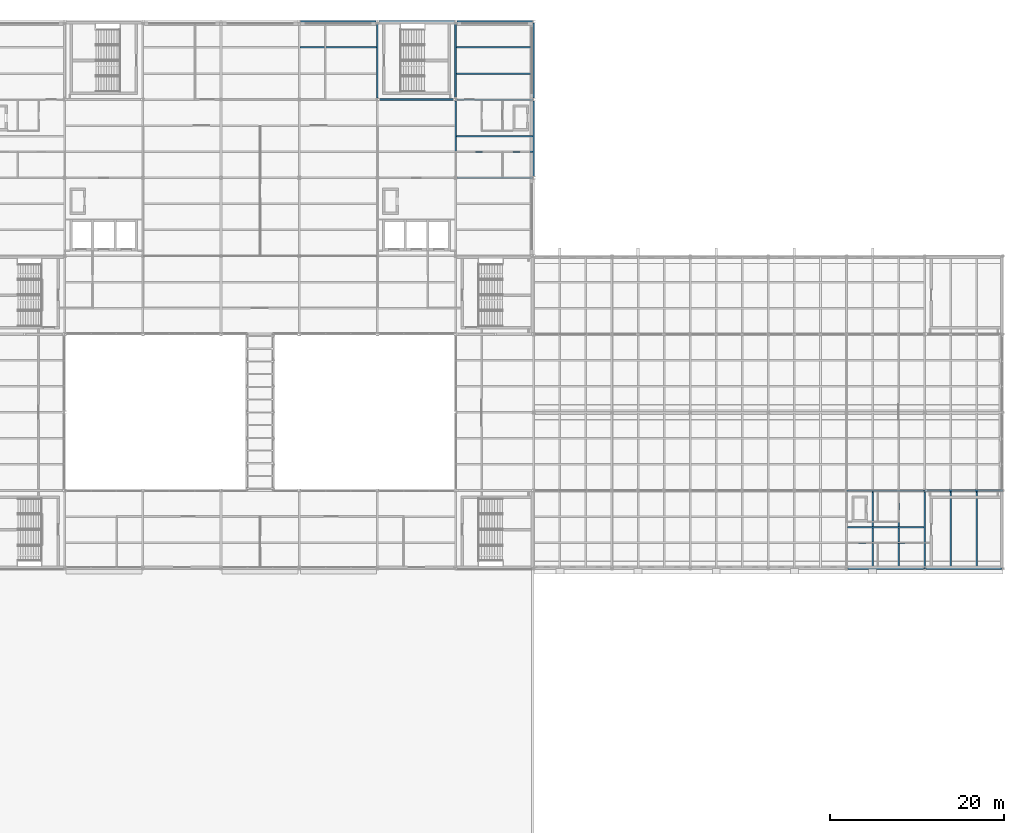
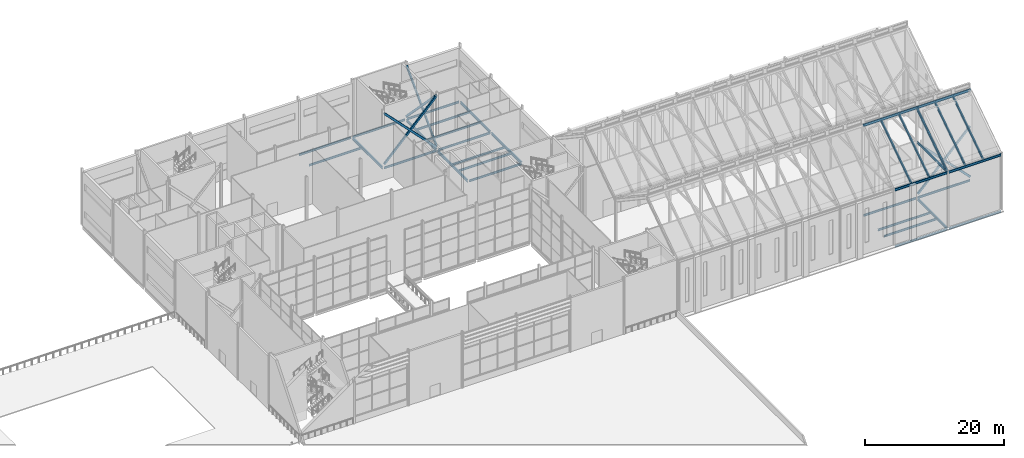
# One storey, part 68 of 111: 28 beams, 11 members.
"""IFC4 building model written with IfcOpenShell, lengths in metres."""

from ifc_helpers import new_model, si_unit, direction, frame, origin, origin_2d, place, context, subcontext, project, spatial, hollow_rectangle, i_section, extrude, material, material_profile, profile_set, type_object, element, save


model = new_model("IFC4")

# Units and contexts
model_context = context("Model", 3, precision=1e-05, world=origin(), true_north=direction((0.0, 1.0)))
body_context = subcontext(model_context, "Body", "Model", "MODEL_VIEW")
ifc_project = project(units=[si_unit("LENGTHUNIT", "METRE"), si_unit("AREAUNIT", "SQUARE_METRE"), si_unit("VOLUMEUNIT", "CUBIC_METRE"), si_unit("PLANEANGLEUNIT", "RADIAN"), si_unit("MASSUNIT", "GRAM", prefix="KILO")], contexts=[model_context])

# Site, building, storey
site_placement = place(None, origin())
site = spatial("IfcSite", under=ifc_project, at=site_placement, CompositionType="ELEMENT")
building_placement = place(site_placement, origin())
building = spatial("IfcBuilding", under=site, at=building_placement, Name="Shorebreak Coast Museum", CompositionType="ELEMENT")
storey_placement = place(building_placement, frame((0.0, 0.0, 16.0)))
storey = spatial("IfcBuildingStorey", under=building, at=storey_placement, Name="L03", CompositionType="ELEMENT", Elevation=16.0)

# Beams
ifc_material_1 = material(Name="Steel Grade 300", Category="steel")
ifc_material_profile_1 = material_profile(ifc_material_1, i_section(OverallWidth=0.1708984375, OverallDepth=0.355712890625, WebThickness=0.00732421875, FlangeThickness=0.011474609375, FilletRadius=0.011474609375, at=origin_2d()), Name="360UB50.7")
ifc_profile_set_1 = profile_set([ifc_material_profile_1], Name="Steel Grade 300")
beam_type_1 = type_object("IfcBeamType", Name="Floor girder east-west 360UB50.7", PredefinedType="BEAM", material=ifc_profile_set_1)
for number, where, z_axis, x_axis, name in (
    (1, (153.14990234375, 54.0, -0.352783203125), (1.0, 0.0, 0.0), (0.0, 1.0, 0.0), "Floor girder east-west L03 18G"),
    (2, (162.14990234375, 54.0, -0.352783203125), (1.0, 0.0, 0.0), (0.0, 1.0, 0.0), "Floor girder east-west L03 19G"),
):
    element("IfcBeam", number, at=place(storey_placement, frame(where, z_axis=z_axis, x_axis=x_axis)), inside=storey, type_object=beam_type_1, Name=name, PredefinedType="BEAM", context=body_context, shape_type="SweptSolid", body=[
        extrude(i_section(OverallWidth=0.1708984375, OverallDepth=0.355712890625, WebThickness=0.00732421875, FlangeThickness=0.011474609375, FilletRadius=0.011474609375, at=origin_2d()), origin(), (0.0, 0.0, 1.0), 8.7001953125),
    ])
beam_1_placement = place(storey_placement, frame((153.153564453125, 63.0, -0.352783203125), z_axis=(1.0, 0.0, 0.0), x_axis=(0.0, 1.0, 0.0)))
element("IfcBeam", 3, at=beam_1_placement, inside=storey, type_object=beam_type_1, Name="Floor girder east-west L03 18H", PredefinedType="BEAM", context=body_context, shape_type="SweptSolid", body=[
    extrude(i_section(OverallWidth=0.1708984375, OverallDepth=0.355712890625, WebThickness=0.00732421875, FlangeThickness=0.011474609375, FilletRadius=0.011474609375, at=origin_2d()), origin(), (0.0, 0.0, 1.0), 8.69287109375),
])
beam_2_placement = place(storey_placement, frame((162.153564453125, 63.0, -0.352783203125), z_axis=(1.0, 0.0, 0.0), x_axis=(0.0, 1.0, 0.0)))
element("IfcBeam", 4, at=beam_2_placement, inside=storey, type_object=beam_type_1, Name="Floor girder east-west L03 19H", PredefinedType="BEAM", context=body_context, shape_type="SweptSolid", body=[
    extrude(i_section(OverallWidth=0.1708984375, OverallDepth=0.355712890625, WebThickness=0.00732421875, FlangeThickness=0.011474609375, FilletRadius=0.011474609375, at=origin_2d()), origin(), (0.0, 0.0, 1.0), 8.696533203125),
])
for number, where, z_axis, x_axis, name in (
    (5, (108.153564453125, 99.0, -0.352783203125), (1.0, 0.0, 0.0), (0.0, 1.0, 0.0), "Floor girder east-west L03 13M"),
    (6, (99.153564453125, 108.0, -0.352783203125), (1.0, 0.0, 0.0), (0.0, 1.0, 0.0), "Floor girder east-west L03 12N"),
    (7, (108.153564453125, 108.0, -0.352783203125), (1.0, 0.0, 0.0), (0.0, 1.0, 0.0), "Floor girder east-west L03 13N"),
):
    element("IfcBeam", number, at=place(storey_placement, frame(where, z_axis=z_axis, x_axis=x_axis)), inside=storey, type_object=beam_type_1, Name=name, PredefinedType="BEAM", context=body_context, shape_type="SweptSolid", body=[
        extrude(i_section(OverallWidth=0.1708984375, OverallDepth=0.355712890625, WebThickness=0.00732421875, FlangeThickness=0.011474609375, FilletRadius=0.011474609375, at=origin_2d()), origin(), (0.0, 0.0, 1.0), 8.69287109375),
    ])
for number, where, z_axis, x_axis, name in (
    (8, (90.155517578125, 117.0, -0.352783203125), (1.0, 0.0, 0.0), (0.0, 1.0, 0.0), "Floor girder east-west L03 11P"),
    (9, (99.155517578125, 117.0, -0.352783203125), (1.0, 0.0, 0.0), (0.0, 1.0, 0.0), "Floor girder east-west L03 12P"),
    (10, (108.155517578125, 117.0, -0.352783203125), (1.0, 0.0, 0.0), (0.0, 1.0, 0.0), "Floor girder east-west L03 13P"),
):
    element("IfcBeam", number, at=place(storey_placement, frame(where, z_axis=z_axis, x_axis=x_axis)), inside=storey, type_object=beam_type_1, Name=name, PredefinedType="BEAM", context=body_context, shape_type="SweptSolid", body=[
        extrude(i_section(OverallWidth=0.1708984375, OverallDepth=0.355712890625, WebThickness=0.00732421875, FlangeThickness=0.011474609375, FilletRadius=0.011474609375, at=origin_2d()), origin(), (0.0, 0.0, 1.0), 8.68896484375),
    ])
ifc_material_2 = material(Name="Steel Grade 300", Category="steel")
ifc_material_profile_2 = material_profile(ifc_material_2, i_section(OverallWidth=0.18994140625, OverallDepth=0.453857421875, WebThickness=0.008544921875, FlangeThickness=0.0126953125, FilletRadius=0.011474609375, at=origin_2d()), Name="460UB67.1")
ifc_profile_set_2 = profile_set([ifc_material_profile_2], Name="Steel Grade 300")
beam_type_2 = type_object("IfcBeamType", Name="Floor girder north-south 460UB67.1", PredefinedType="BEAM", material=ifc_profile_set_2)
beam_3_placement = place(storey_placement, frame((162.0, 54.14990234375, -0.40185546875), z_axis=(0.0, 1.0, 0.0), x_axis=(-1.0, 0.0, 0.0)))
element("IfcBeam", 11, at=beam_3_placement, inside=storey, type_object=beam_type_2, Name="Floor girder north-south L03 19G", PredefinedType="BEAM", context=body_context, shape_type="SweptSolid", body=[
    extrude(i_section(OverallWidth=0.18994140625, OverallDepth=0.453857421875, WebThickness=0.008544921875, FlangeThickness=0.0126953125, FilletRadius=0.011474609375, at=origin_2d()), origin(), (0.0, 0.0, 1.0), 8.69287109375),
])
for number, where, z_axis, x_axis, name in (
    (12, (108.0, 99.1572265625, -0.40185546875), (0.0, 1.0, 0.0), (-1.0, 0.0, 0.0), "Floor girder north-south L03 13M"),
    (13, (117.0, 99.1572265625, -0.40185546875), (0.0, 1.0, 0.0), (-1.0, 0.0, 0.0), "Floor girder north-south L03 14M"),
):
    element("IfcBeam", number, at=place(storey_placement, frame(where, z_axis=z_axis, x_axis=x_axis)), inside=storey, type_object=beam_type_2, Name=name, PredefinedType="BEAM", context=body_context, shape_type="SweptSolid", body=[
        extrude(i_section(OverallWidth=0.18994140625, OverallDepth=0.453857421875, WebThickness=0.008544921875, FlangeThickness=0.0126953125, FilletRadius=0.011474609375, at=origin_2d()), origin(), (0.0, 0.0, 1.0), 8.685546875),
    ])
for number, where, z_axis, x_axis, name in (
    (14, (99.0, 108.1572265625, -0.40185546875), (0.0, 1.0, 0.0), (-1.0, 0.0, 0.0), "Floor girder north-south L03 12N"),
    (15, (108.0, 108.1572265625, -0.40185546875), (0.0, 1.0, 0.0), (-1.0, 0.0, 0.0), "Floor girder north-south L03 13N"),
    (16, (117.0, 108.1572265625, -0.40185546875), (0.0, 1.0, 0.0), (-1.0, 0.0, 0.0), "Floor girder north-south L03 14N"),
):
    element("IfcBeam", number, at=place(storey_placement, frame(where, z_axis=z_axis, x_axis=x_axis)), inside=storey, type_object=beam_type_2, Name=name, PredefinedType="BEAM", context=body_context, shape_type="SweptSolid", body=[
        extrude(i_section(OverallWidth=0.18994140625, OverallDepth=0.453857421875, WebThickness=0.008544921875, FlangeThickness=0.0126953125, FilletRadius=0.011474609375, at=origin_2d()), origin(), (0.0, 0.0, 1.0), 8.67919921875),
    ])
ifc_material_3 = material(Name="Steel Grade 300", Category="steel")
ifc_material_profile_3 = material_profile(ifc_material_3, i_section(OverallWidth=0.1708984375, OverallDepth=0.35205078125, WebThickness=0.0068359375, FlangeThickness=0.009765625, FilletRadius=0.011474609375, at=origin_2d()), Name="360UB44.7")
ifc_profile_set_3 = profile_set([ifc_material_profile_3], Name="Steel Grade 300")
beam_type_3 = type_object("IfcBeamType", Name="Floor joist 360UB44.7", PredefinedType="JOIST", material=ifc_profile_set_3)
for number, where, z_axis, x_axis, name in (
    (17, (153.094970703125, 57.0, -0.35107421875), (1.0, 0.0, 0.0), (0.0, 1.0, 0.0), "Floor joist L03 bay 18G at 3000 mm"),
    (18, (153.094970703125, 58.800048828125, -0.35107421875), (1.0, 0.0, 0.0), (0.0, 1.0, 0.0), "Floor joist L03 bay 18G at 4800 mm"),
):
    element("IfcBeam", number, at=place(storey_placement, frame(where, z_axis=z_axis, x_axis=x_axis)), inside=storey, type_object=beam_type_3, Name=name, PredefinedType="JOIST", context=body_context, shape_type="SweptSolid", body=[
        extrude(i_section(OverallWidth=0.1708984375, OverallDepth=0.35205078125, WebThickness=0.0068359375, FlangeThickness=0.009765625, FilletRadius=0.011474609375, at=origin_2d()), origin(), (0.0, 0.0, 1.0), 8.81005859375),
    ])
ifc_material_4 = material(Name="Steel Grade 300", Category="steel")
ifc_material_profile_4 = material_profile(ifc_material_4, i_section(OverallWidth=0.1708984375, OverallDepth=0.355712890625, WebThickness=0.00732421875, FlangeThickness=0.011474609375, FilletRadius=0.011474609375, at=origin_2d()), Name="360UB50.7")
ifc_profile_set_4 = profile_set([ifc_material_profile_4], Name="Steel Grade 300")
beam_type_4 = type_object("IfcBeamType", Name="Floor joist 360UB50.7", PredefinedType="JOIST", material=ifc_profile_set_4)
for number, where, z_axis, x_axis, name in (
    (19, (108.094970703125, 102.0, -0.352783203125), (1.0, 0.0, 0.0), (0.0, 1.0, 0.0), "Floor joist L03 bay 13M at 3000 mm"),
    (20, (108.094970703125, 103.800048828125, -0.352783203125), (1.0, 0.0, 0.0), (0.0, 1.0, 0.0), "Floor joist L03 bay 13M at 4800 mm"),
    (21, (90.094970703125, 114.0, -0.352783203125), (1.0, 0.0, 0.0), (0.0, 1.0, 0.0), "Floor joist L03 bay 11N at 6000 mm"),
    (22, (108.094970703125, 111.0, -0.352783203125), (1.0, 0.0, 0.0), (0.0, 1.0, 0.0), "Floor joist L03 bay 13N at 3000 mm"),
    (23, (108.094970703125, 114.0, -0.352783203125), (1.0, 0.0, 0.0), (0.0, 1.0, 0.0), "Floor joist L03 bay 13N at 6000 mm"),
):
    element("IfcBeam", number, at=place(storey_placement, frame(where, z_axis=z_axis, x_axis=x_axis)), inside=storey, type_object=beam_type_4, Name=name, PredefinedType="JOIST", context=body_context, shape_type="SweptSolid", body=[
        extrude(i_section(OverallWidth=0.1708984375, OverallDepth=0.355712890625, WebThickness=0.00732421875, FlangeThickness=0.011474609375, FilletRadius=0.011474609375, at=origin_2d()), origin(), (0.0, 0.0, 1.0), 8.81005859375),
    ])

# Members
ifc_material_5 = material(Name="Steel Grade 300", Category="steel")
ifc_material_profile_5 = material_profile(ifc_material_5, i_section(OverallWidth=0.177978515625, OverallDepth=0.402587890625, WebThickness=0.007568359375, FlangeThickness=0.010986328125, FilletRadius=0.011474609375, at=origin_2d()), Name="410UB53.7")
ifc_profile_set_5 = profile_set([ifc_material_profile_5], Name="Steel Grade 300")
member_type_1 = type_object("IfcMemberType", Name="Fold rafter 410UB53.7", PredefinedType="RAFTER", material=ifc_profile_set_5)
for number, where, z_axis, x_axis, name in (
    (24, (156.0, 62.910888671875, 15.458251953125), (0.0, -0.832043209162, -0.554710823842), (1.0, 0.0, 0.0), "Fold rafter FOLD-E line 1 14"),
    (25, (159.0, 62.910888671875, 15.458251953125), (0.0, -0.832043209162, -0.554710823842), (1.0, 0.0, 0.0), "Fold rafter FOLD-E line 1 15"),
    (26, (165.0, 62.910888671875, 15.458251953125), (0.0, -0.832043209162, -0.554710823842), (1.0, 0.0, 0.0), "Fold rafter FOLD-E line 1 17"),
    (27, (168.0, 62.910888671875, 15.458251953125), (0.0, -0.832043209162, -0.554710823842), (1.0, 0.0, 0.0), "Fold rafter FOLD-E line 1 18"),
):
    element("IfcMember", number, at=place(storey_placement, frame(where, z_axis=z_axis, x_axis=x_axis)), inside=storey, type_object=member_type_1, Name=name, PredefinedType="RAFTER", context=body_context, shape_type="SweptSolid", body=[
        extrude(i_section(OverallWidth=0.177978515625, OverallDepth=0.402587890625, WebThickness=0.007568359375, FlangeThickness=0.010986328125, FilletRadius=0.011474609375, at=origin_2d()), origin(), (0.0, 0.0, 1.0), 10.6025390625),
    ])
ifc_material_6 = material(Name="Steel Grade 300", Category="steel")
ifc_material_profile_6 = material_profile(ifc_material_6, i_section(OverallWidth=0.18994140625, OverallDepth=0.453857421875, WebThickness=0.008544921875, FlangeThickness=0.0126953125, FilletRadius=0.011474609375, at=origin_2d()), Name="460UB67.1")
ifc_profile_set_6 = profile_set([ifc_material_profile_6], Name="Steel Grade 300")
member_type_2 = type_object("IfcMemberType", Name="Fold rib rafter 460UB67.1", PredefinedType="RAFTER", material=ifc_profile_set_6)
member_placement = place(storey_placement, frame((162.0, 62.910888671875, 15.427490234375), z_axis=(0.0, -0.832043209162, -0.554710823842), x_axis=(1.0, 0.0, 0.0)))
element("IfcMember", 28, at=member_placement, inside=storey, type_object=member_type_2, Name="Fold rib rafter FOLD-E line 1 16", PredefinedType="RAFTER", context=body_context, shape_type="SweptSolid", body=[
    extrude(i_section(OverallWidth=0.18994140625, OverallDepth=0.453857421875, WebThickness=0.008544921875, FlangeThickness=0.0126953125, FilletRadius=0.011474609375, at=origin_2d()), origin(), (0.0, 0.0, 1.0), 10.6025390625),
])

# Beams
ifc_material_7 = material(Name="Steel Grade 300", Category="steel")
ifc_material_profile_7 = material_profile(ifc_material_7, i_section(OverallWidth=0.1708984375, OverallDepth=0.35205078125, WebThickness=0.0068359375, FlangeThickness=0.009765625, FilletRadius=0.011474609375, at=origin_2d()), Name="360UB44.7")
ifc_profile_set_7 = profile_set([ifc_material_profile_7], Name="Steel Grade 300")
beam_type_5 = type_object("IfcBeamType", Name="Fold rib tie 360UB44.7", PredefinedType="BEAM", material=ifc_profile_set_7)
beam_4_placement = place(storey_placement, frame((162.0, 54.125, 9.58349609375), z_axis=(0.0, 1.0, 0.0), x_axis=(-1.0, 0.0, 0.0)))
element("IfcBeam", 29, at=beam_4_placement, inside=storey, type_object=beam_type_5, Name="Fold rib tie FOLD-E rib 19 G-H", PredefinedType="BEAM", context=body_context, shape_type="SweptSolid", body=[
    extrude(i_section(OverallWidth=0.1708984375, OverallDepth=0.35205078125, WebThickness=0.0068359375, FlangeThickness=0.009765625, FilletRadius=0.011474609375, at=origin_2d()), origin(), (0.0, 0.0, 1.0), 8.720947265625),
])
ifc_material_8 = material(Name="Steel Grade 300", Category="steel")
ifc_material_profile_8 = material_profile(ifc_material_8, i_section(OverallWidth=0.177978515625, OverallDepth=0.406494140625, WebThickness=0.0078125, FlangeThickness=0.0126953125, FilletRadius=0.011474609375, at=origin_2d()), Name="410UB59.7")
ifc_profile_set_8 = profile_set([ifc_material_profile_8], Name="Steel Grade 300")
beam_type_6 = type_object("IfcBeamType", Name="Fold ridge beam 410UB59.7", PredefinedType="BEAM", material=ifc_profile_set_8)
for number, where, z_axis, x_axis, name in (
    (30, (153.0, 63.0, 15.556396484375), (1.0, 0.0, 0.0), (0.0, 1.0, 0.0), "Fold ridge beam FOLD-E line H bay 18H"),
    (31, (162.0, 63.0, 15.556396484375), (1.0, 0.0, 0.0), (0.0, 1.0, 0.0), "Fold ridge beam FOLD-E line H bay 19H"),
):
    element("IfcBeam", number, at=place(storey_placement, frame(where, z_axis=z_axis, x_axis=x_axis)), inside=storey, type_object=beam_type_6, Name=name, PredefinedType="BEAM", context=body_context, shape_type="SweptSolid", body=[
        extrude(i_section(OverallWidth=0.177978515625, OverallDepth=0.406494140625, WebThickness=0.0078125, FlangeThickness=0.0126953125, FilletRadius=0.011474609375, at=origin_2d()), origin(), (0.0, 0.0, 1.0), 9.0),
    ])
ifc_material_9 = material(Name="Steel Grade 300", Category="steel")
ifc_material_profile_9 = material_profile(ifc_material_9, i_section(OverallWidth=0.177978515625, OverallDepth=0.406494140625, WebThickness=0.0078125, FlangeThickness=0.0126953125, FilletRadius=0.011474609375, at=origin_2d()), Name="410UB59.7")
ifc_profile_set_9 = profile_set([ifc_material_profile_9], Name="Steel Grade 300")
beam_type_7 = type_object("IfcBeamType", Name="Fold valley girder 410UB59.7", PredefinedType="BEAM", material=ifc_profile_set_9)
for number, where, z_axis, x_axis, name in (
    (32, (153.125, 54.0, 9.61572265625), (1.0, 0.0, 0.0), (0.0, 1.0, 0.0), "Fold valley girder FOLD-E line G bay 18G"),
    (33, (162.125, 54.0, 9.61572265625), (1.0, 0.0, 0.0), (0.0, 1.0, 0.0), "Fold valley girder FOLD-E line G bay 19G"),
):
    element("IfcBeam", number, at=place(storey_placement, frame(where, z_axis=z_axis, x_axis=x_axis)), inside=storey, type_object=beam_type_7, Name=name, PredefinedType="BEAM", context=body_context, shape_type="SweptSolid", body=[
        extrude(i_section(OverallWidth=0.177978515625, OverallDepth=0.406494140625, WebThickness=0.0078125, FlangeThickness=0.0126953125, FilletRadius=0.011474609375, at=origin_2d()), origin(), (0.0, 0.0, 1.0), 8.75),
    ])

# Members
ifc_material_10 = material(Name="Steel Grade C450L0", Category="steel")
ifc_material_profile_10 = material_profile(ifc_material_10, hollow_rectangle(XDim=0.25, YDim=0.35009765625, WallThickness=0.012451171875, InnerFilletRadius=0.018798828125, OuterFilletRadius=0.03125, at=origin_2d()), Name="350x250x12.5 RHS")
ifc_profile_set_10 = profile_set([ifc_material_profile_10], Name="Steel Grade C450L0")
member_type_3 = type_object("IfcMemberType", Name="X-brace 350x250x12.5 RHS", PredefinedType="BRACE", material=ifc_profile_set_10)
for number, where, z_axis, x_axis, name in (
    (34, (162.152587890625, 63.0, 0.300048828125), (0.699547942219, 0.0, 0.714585667738), (0.0, 1.0, 0.0), "X-brace bay 07 L03 diagonal 1"),
    (35, (170.875, 63.0, 0.300048828125), (-0.699547942219, 0.0, 0.714585667738), (0.0, -1.0, 0.0), "X-brace bay 07 L03 diagonal 2"),
):
    element("IfcMember", number, at=place(storey_placement, frame(where, z_axis=z_axis, x_axis=x_axis)), inside=storey, type_object=member_type_3, Name=name, PredefinedType="BRACE", context=body_context, shape_type="SweptSolid", body=[
        extrude(hollow_rectangle(XDim=0.25, YDim=0.35009765625, WallThickness=0.012451171875, InnerFilletRadius=0.018798828125, OuterFilletRadius=0.03125, at=origin_2d()), origin(), (0.0, 0.0, 1.0), 12.46875),
    ])
for number, where, z_axis, x_axis, name in (
    (36, (99.152587890625, 108.0, 0.300048828125), (0.695813168576, 0.0, 0.718222830629), (0.0, 1.0, 0.0), "X-brace bay 11 L03 diagonal 1"),
    (37, (107.847412109375, 108.0, 0.300048828125), (-0.695813168576, 0.0, 0.718222830629), (0.0, -1.0, 0.0), "X-brace bay 11 L03 diagonal 2"),
):
    element("IfcMember", number, at=place(storey_placement, frame(where, z_axis=z_axis, x_axis=x_axis)), inside=storey, type_object=member_type_3, Name=name, PredefinedType="BRACE", context=body_context, shape_type="SweptSolid", body=[
        extrude(hollow_rectangle(XDim=0.25, YDim=0.35009765625, WallThickness=0.012451171875, InnerFilletRadius=0.018798828125, OuterFilletRadius=0.03125, at=origin_2d()), origin(), (0.0, 0.0, 1.0), 12.495849609375),
    ])
for number, where, z_axis, x_axis, name in (
    (38, (108.0, 108.154052734375, 0.300048828125), (0.0, 0.695298636791, 0.718720951188), (-1.0, 0.0, 0.0), "X-brace bay 12 L03 diagonal 1"),
    (39, (108.0, 116.83642578125, 0.300048828125), (0.0, -0.695298636791, 0.718720951188), (1.0, 0.0, 0.0), "X-brace bay 12 L03 diagonal 2"),
):
    element("IfcMember", number, at=place(storey_placement, frame(where, z_axis=z_axis, x_axis=x_axis)), inside=storey, type_object=member_type_3, Name=name, PredefinedType="BRACE", context=body_context, shape_type="SweptSolid", body=[
        extrude(hollow_rectangle(XDim=0.25, YDim=0.35009765625, WallThickness=0.012451171875, InnerFilletRadius=0.018798828125, OuterFilletRadius=0.03125, at=origin_2d()), origin(), (0.0, 0.0, 1.0), 12.4873046875),
    ])

save(model, "model.ifc")
